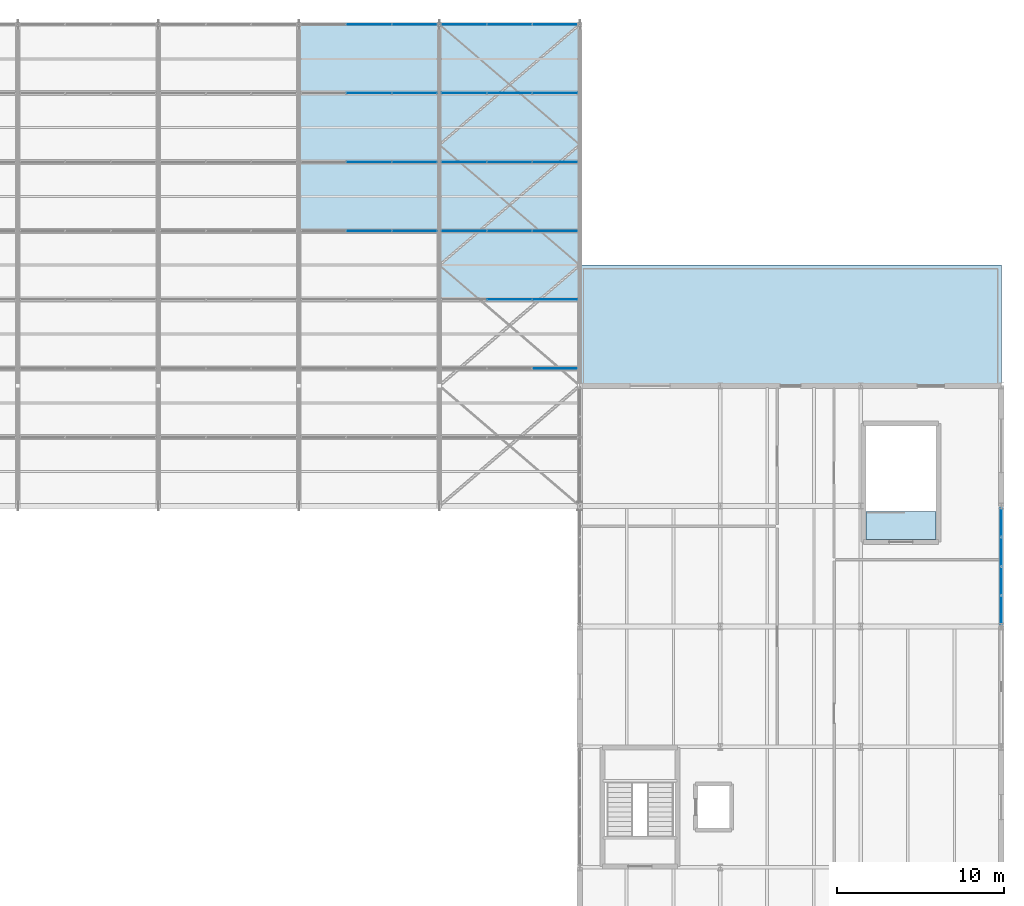
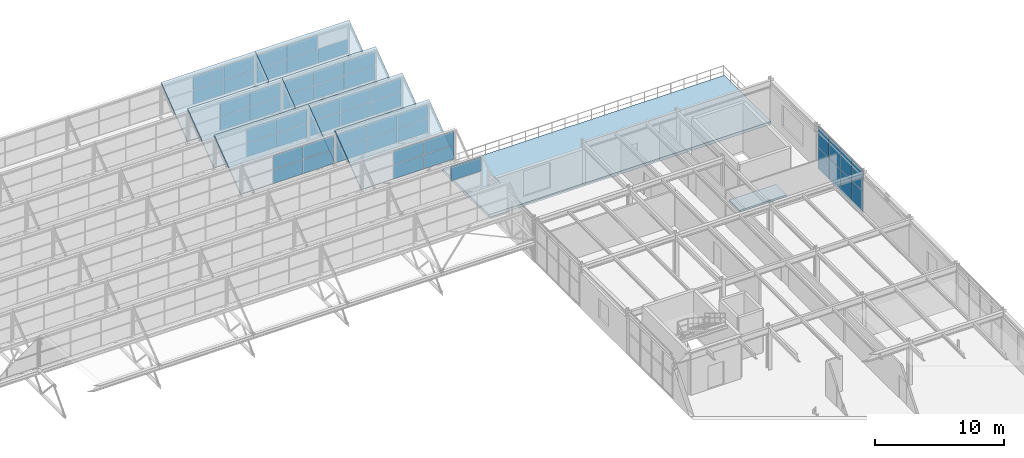
# One storey, part 111 of 134: 52 plates, 9 slabs, 11 elements without a shape of their own.
"""IFC4 building model written with IfcOpenShell, lengths in metres."""

from ifc_helpers import new_model, si_unit, derived_unit, direction, frame, origin, origin_2d, place, context, subcontext, project, spatial, polyline, rectangle, outline, extrude, material, layer, layer_set, type_object, element, aggregate, save


model = new_model("IFC4")

# Units and contexts
model_context = context("Model", 3, precision=1e-05, world=origin(), true_north=direction((0.0, 1.0)))
body_context = subcontext(model_context, "Body", "Model", "MODEL_VIEW")
ifc_project = project(units=[si_unit("LENGTHUNIT", "METRE"), si_unit("AREAUNIT", "SQUARE_METRE"), si_unit("VOLUMEUNIT", "CUBIC_METRE"), si_unit("PLANEANGLEUNIT", "RADIAN"), si_unit("MASSUNIT", "GRAM", prefix="KILO"), derived_unit("THERMALTRANSMITTANCEUNIT", [(si_unit("MASSUNIT", "GRAM", prefix="KILO"), 1), (si_unit("TIMEUNIT", "SECOND"), -3), (si_unit("THERMODYNAMICTEMPERATUREUNIT", "KELVIN"), -1)])], contexts=[model_context])

# Site, building, storey
site_placement = place(None, origin())
site = spatial("IfcSite", under=ifc_project, at=site_placement, CompositionType="ELEMENT")
building_placement = place(site_placement, origin())
building = spatial("IfcBuilding", under=site, at=building_placement, Name="Kharveza Railside Sports Centre", CompositionType="ELEMENT")
storey_placement = place(building_placement, frame((0.0, 0.0, 12.89990234375)))
storey = spatial("IfcBuildingStorey", under=building, at=storey_placement, Name="L03", CompositionType="ELEMENT", Elevation=12.89990234375)

# Curtain wall, plate
ifc_material_1 = material(Name="Low-E solar-control laminated glass", Category="glass")
curtain_wall_type_1 = type_object("IfcCurtainWallType", Name="CW-NL02", PredefinedType="NOTDEFINED", material=ifc_material_1)
curtain_wall_1_placement = place(storey_placement, origin())
curtain_wall_1 = element("IfcCurtainWall", 1, at=curtain_wall_1_placement, inside=storey, type_object=curtain_wall_type_1, Name="CW-V2NL-2-6", PredefinedType="NOTDEFINED")
ifc_layer_1 = layer(ifc_material_1, 0.033935546875, Name="Low-E solar-control laminated glass")
ifc_layer_set_1 = layer_set([ifc_layer_1], Name="Low-E solar-control laminated glass")
plate_type_1 = type_object("IfcPlateType", Name="PL-CP06", PredefinedType="CURTAIN_PANEL", material=ifc_layer_set_1)
plate_1_placement = place(storey_placement, frame((141.320068359375, 87.4287109375, 3.570068359375), z_axis=(0.0, 0.0, 1.0), x_axis=(1.0, 0.0, 0.0)))
plate_1 = element("IfcPlate", 2, at=plate_1_placement, type_object=plate_type_1, Name="CW-V2NL-2-6-PN32", PredefinedType="CURTAIN_PANEL", context=body_context, shape_type="SweptSolid", body=[
    extrude(rectangle(XDim=2.679931640625, YDim=0.033935546875, at=origin_2d()), origin(), (0.0, 0.0, 1.0), 1.31005859375),
])
aggregate(curtain_wall_1, [plate_1])

# Curtain wall, plates
curtain_wall_2_placement = place(storey_placement, origin())
curtain_wall_2 = element("IfcCurtainWall", 3, at=curtain_wall_2_placement, inside=storey, type_object=curtain_wall_type_1, Name="CW-V2NL-3-6", PredefinedType="NOTDEFINED")
plate_2_placement = place(storey_placement, frame((138.60009765625, 91.54296875, 2.219970703125), z_axis=(0.0, 0.0, 1.0), x_axis=(1.0, 0.0, 0.0)))
plate_2 = element("IfcPlate", 4, at=plate_2_placement, type_object=plate_type_1, Name="CW-V2NL-3-6-PN21", PredefinedType="CURTAIN_PANEL", context=body_context, shape_type="SweptSolid", body=[
    extrude(rectangle(XDim=2.679931640625, YDim=0.033935546875, at=origin_2d()), origin(), (0.0, 0.0, 1.0), 1.31005859375),
])
plate_3_placement = place(storey_placement, frame((138.60009765625, 91.54296875, 3.570068359375), z_axis=(0.0, 0.0, 1.0), x_axis=(1.0, 0.0, 0.0)))
plate_3 = element("IfcPlate", 5, at=plate_3_placement, type_object=plate_type_1, Name="CW-V2NL-3-6-PN22", PredefinedType="CURTAIN_PANEL", context=body_context, shape_type="SweptSolid", body=[
    extrude(rectangle(XDim=2.679931640625, YDim=0.033935546875, at=origin_2d()), origin(), (0.0, 0.0, 1.0), 1.31005859375),
])
plate_4_placement = place(storey_placement, frame((141.320068359375, 91.54296875, 2.219970703125), z_axis=(0.0, 0.0, 1.0), x_axis=(1.0, 0.0, 0.0)))
plate_4 = element("IfcPlate", 6, at=plate_4_placement, type_object=plate_type_1, Name="CW-V2NL-3-6-PN31", PredefinedType="CURTAIN_PANEL", context=body_context, shape_type="SweptSolid", body=[
    extrude(rectangle(XDim=2.679931640625, YDim=0.033935546875, at=origin_2d()), origin(), (0.0, 0.0, 1.0), 1.31005859375),
])
plate_5_placement = place(storey_placement, frame((141.320068359375, 91.54296875, 3.570068359375), z_axis=(0.0, 0.0, 1.0), x_axis=(1.0, 0.0, 0.0)))
plate_5 = element("IfcPlate", 7, at=plate_5_placement, type_object=plate_type_1, Name="CW-V2NL-3-6-PN32", PredefinedType="CURTAIN_PANEL", context=body_context, shape_type="SweptSolid", body=[
    extrude(rectangle(XDim=2.679931640625, YDim=0.033935546875, at=origin_2d()), origin(), (0.0, 0.0, 1.0), 1.31005859375),
])
aggregate(curtain_wall_2, [plate_2, plate_3, plate_4, plate_5])

curtain_wall_3_placement = place(storey_placement, origin())
curtain_wall_3 = element("IfcCurtainWall", 8, at=curtain_wall_3_placement, inside=storey, type_object=curtain_wall_type_1, Name="CW-V2NL-4-5", PredefinedType="NOTDEFINED")
plate_6_placement = place(storey_placement, frame((130.199951171875, 95.656982421875, 2.219970703125), z_axis=(0.0, 0.0, 1.0), x_axis=(1.0, 0.0, 0.0)))
plate_6 = element("IfcPlate", 9, at=plate_6_placement, type_object=plate_type_1, Name="CW-V2NL-4-5-PN21", PredefinedType="CURTAIN_PANEL", context=body_context, shape_type="SweptSolid", body=[
    extrude(rectangle(XDim=2.679931640625, YDim=0.033935546875, at=origin_2d()), origin(), (0.0, 0.0, 1.0), 1.31005859375),
])
plate_7_placement = place(storey_placement, frame((130.199951171875, 95.656982421875, 3.570068359375), z_axis=(0.0, 0.0, 1.0), x_axis=(1.0, 0.0, 0.0)))
plate_7 = element("IfcPlate", 10, at=plate_7_placement, type_object=plate_type_1, Name="CW-V2NL-4-5-PN22", PredefinedType="CURTAIN_PANEL", context=body_context, shape_type="SweptSolid", body=[
    extrude(rectangle(XDim=2.679931640625, YDim=0.033935546875, at=origin_2d()), origin(), (0.0, 0.0, 1.0), 1.31005859375),
])
plate_8_placement = place(storey_placement, frame((132.919921875, 95.656982421875, 2.219970703125), z_axis=(0.0, 0.0, 1.0), x_axis=(1.0, 0.0, 0.0)))
plate_8 = element("IfcPlate", 11, at=plate_8_placement, type_object=plate_type_1, Name="CW-V2NL-4-5-PN31", PredefinedType="CURTAIN_PANEL", context=body_context, shape_type="SweptSolid", body=[
    extrude(rectangle(XDim=2.679931640625, YDim=0.033935546875, at=origin_2d()), origin(), (0.0, 0.0, 1.0), 1.31005859375),
])
plate_9_placement = place(storey_placement, frame((132.919921875, 95.656982421875, 3.570068359375), z_axis=(0.0, 0.0, 1.0), x_axis=(1.0, 0.0, 0.0)))
plate_9 = element("IfcPlate", 12, at=plate_9_placement, type_object=plate_type_1, Name="CW-V2NL-4-5-PN32", PredefinedType="CURTAIN_PANEL", context=body_context, shape_type="SweptSolid", body=[
    extrude(rectangle(XDim=2.679931640625, YDim=0.033935546875, at=origin_2d()), origin(), (0.0, 0.0, 1.0), 1.31005859375),
])
aggregate(curtain_wall_3, [plate_6, plate_7, plate_8, plate_9])

curtain_wall_4_placement = place(storey_placement, origin())
curtain_wall_4 = element("IfcCurtainWall", 13, at=curtain_wall_4_placement, inside=storey, type_object=curtain_wall_type_1, Name="CW-V2NL-4-6", PredefinedType="NOTDEFINED")
plate_10_placement = place(storey_placement, frame((135.8798828125, 95.656982421875, 2.219970703125), z_axis=(0.0, 0.0, 1.0), x_axis=(1.0, 0.0, 0.0)))
plate_10 = element("IfcPlate", 14, at=plate_10_placement, type_object=plate_type_1, Name="CW-V2NL-4-6-PN11", PredefinedType="CURTAIN_PANEL", context=body_context, shape_type="SweptSolid", body=[
    extrude(rectangle(XDim=2.679931640625, YDim=0.033935546875, at=origin_2d()), origin(), (0.0, 0.0, 1.0), 1.31005859375),
])
plate_11_placement = place(storey_placement, frame((135.8798828125, 95.656982421875, 3.570068359375), z_axis=(0.0, 0.0, 1.0), x_axis=(1.0, 0.0, 0.0)))
plate_11 = element("IfcPlate", 15, at=plate_11_placement, type_object=plate_type_1, Name="CW-V2NL-4-6-PN12", PredefinedType="CURTAIN_PANEL", context=body_context, shape_type="SweptSolid", body=[
    extrude(rectangle(XDim=2.679931640625, YDim=0.033935546875, at=origin_2d()), origin(), (0.0, 0.0, 1.0), 1.31005859375),
])
plate_12_placement = place(storey_placement, frame((138.60009765625, 95.656982421875, 2.219970703125), z_axis=(0.0, 0.0, 1.0), x_axis=(1.0, 0.0, 0.0)))
plate_12 = element("IfcPlate", 16, at=plate_12_placement, type_object=plate_type_1, Name="CW-V2NL-4-6-PN21", PredefinedType="CURTAIN_PANEL", context=body_context, shape_type="SweptSolid", body=[
    extrude(rectangle(XDim=2.679931640625, YDim=0.033935546875, at=origin_2d()), origin(), (0.0, 0.0, 1.0), 1.31005859375),
])
plate_13_placement = place(storey_placement, frame((138.60009765625, 95.656982421875, 3.570068359375), z_axis=(0.0, 0.0, 1.0), x_axis=(1.0, 0.0, 0.0)))
plate_13 = element("IfcPlate", 17, at=plate_13_placement, type_object=plate_type_1, Name="CW-V2NL-4-6-PN22", PredefinedType="CURTAIN_PANEL", context=body_context, shape_type="SweptSolid", body=[
    extrude(rectangle(XDim=2.679931640625, YDim=0.033935546875, at=origin_2d()), origin(), (0.0, 0.0, 1.0), 1.31005859375),
])
plate_14_placement = place(storey_placement, frame((141.320068359375, 95.656982421875, 2.219970703125), z_axis=(0.0, 0.0, 1.0), x_axis=(1.0, 0.0, 0.0)))
plate_14 = element("IfcPlate", 18, at=plate_14_placement, type_object=plate_type_1, Name="CW-V2NL-4-6-PN31", PredefinedType="CURTAIN_PANEL", context=body_context, shape_type="SweptSolid", body=[
    extrude(rectangle(XDim=2.679931640625, YDim=0.033935546875, at=origin_2d()), origin(), (0.0, 0.0, 1.0), 1.31005859375),
])
plate_15_placement = place(storey_placement, frame((141.320068359375, 95.656982421875, 3.570068359375), z_axis=(0.0, 0.0, 1.0), x_axis=(1.0, 0.0, 0.0)))
plate_15 = element("IfcPlate", 19, at=plate_15_placement, type_object=plate_type_1, Name="CW-V2NL-4-6-PN32", PredefinedType="CURTAIN_PANEL", context=body_context, shape_type="SweptSolid", body=[
    extrude(rectangle(XDim=2.679931640625, YDim=0.033935546875, at=origin_2d()), origin(), (0.0, 0.0, 1.0), 1.31005859375),
])
aggregate(curtain_wall_4, [plate_10, plate_11, plate_12, plate_13, plate_14, plate_15])

curtain_wall_5_placement = place(storey_placement, origin())
curtain_wall_5 = element("IfcCurtainWall", 20, at=curtain_wall_5_placement, inside=storey, type_object=curtain_wall_type_1, Name="CW-V2NL-5-5", PredefinedType="NOTDEFINED")
plate_16_placement = place(storey_placement, frame((130.199951171875, 99.771484375, 2.219970703125), z_axis=(0.0, 0.0, 1.0), x_axis=(1.0, 0.0, 0.0)))
plate_16 = element("IfcPlate", 21, at=plate_16_placement, type_object=plate_type_1, Name="CW-V2NL-5-5-PN21", PredefinedType="CURTAIN_PANEL", context=body_context, shape_type="SweptSolid", body=[
    extrude(rectangle(XDim=2.679931640625, YDim=0.033935546875, at=origin_2d()), origin(), (0.0, 0.0, 1.0), 1.31005859375),
])
plate_17_placement = place(storey_placement, frame((130.199951171875, 99.771484375, 3.570068359375), z_axis=(0.0, 0.0, 1.0), x_axis=(1.0, 0.0, 0.0)))
plate_17 = element("IfcPlate", 22, at=plate_17_placement, type_object=plate_type_1, Name="CW-V2NL-5-5-PN22", PredefinedType="CURTAIN_PANEL", context=body_context, shape_type="SweptSolid", body=[
    extrude(rectangle(XDim=2.679931640625, YDim=0.033935546875, at=origin_2d()), origin(), (0.0, 0.0, 1.0), 1.31005859375),
])
plate_18_placement = place(storey_placement, frame((132.919921875, 99.771484375, 2.219970703125), z_axis=(0.0, 0.0, 1.0), x_axis=(1.0, 0.0, 0.0)))
plate_18 = element("IfcPlate", 23, at=plate_18_placement, type_object=plate_type_1, Name="CW-V2NL-5-5-PN31", PredefinedType="CURTAIN_PANEL", context=body_context, shape_type="SweptSolid", body=[
    extrude(rectangle(XDim=2.679931640625, YDim=0.033935546875, at=origin_2d()), origin(), (0.0, 0.0, 1.0), 1.31005859375),
])
plate_19_placement = place(storey_placement, frame((132.919921875, 99.771484375, 3.570068359375), z_axis=(0.0, 0.0, 1.0), x_axis=(1.0, 0.0, 0.0)))
plate_19 = element("IfcPlate", 24, at=plate_19_placement, type_object=plate_type_1, Name="CW-V2NL-5-5-PN32", PredefinedType="CURTAIN_PANEL", context=body_context, shape_type="SweptSolid", body=[
    extrude(rectangle(XDim=2.679931640625, YDim=0.033935546875, at=origin_2d()), origin(), (0.0, 0.0, 1.0), 1.31005859375),
])
aggregate(curtain_wall_5, [plate_16, plate_17, plate_18, plate_19])

curtain_wall_6_placement = place(storey_placement, origin())
curtain_wall_6 = element("IfcCurtainWall", 25, at=curtain_wall_6_placement, inside=storey, type_object=curtain_wall_type_1, Name="CW-V2NL-5-6", PredefinedType="NOTDEFINED")
plate_20_placement = place(storey_placement, frame((135.8798828125, 99.771484375, 2.219970703125), z_axis=(0.0, 0.0, 1.0), x_axis=(1.0, 0.0, 0.0)))
plate_20 = element("IfcPlate", 26, at=plate_20_placement, type_object=plate_type_1, Name="CW-V2NL-5-6-PN11", PredefinedType="CURTAIN_PANEL", context=body_context, shape_type="SweptSolid", body=[
    extrude(rectangle(XDim=2.679931640625, YDim=0.033935546875, at=origin_2d()), origin(), (0.0, 0.0, 1.0), 1.31005859375),
])
plate_21_placement = place(storey_placement, frame((135.8798828125, 99.771484375, 3.570068359375), z_axis=(0.0, 0.0, 1.0), x_axis=(1.0, 0.0, 0.0)))
plate_21 = element("IfcPlate", 27, at=plate_21_placement, type_object=plate_type_1, Name="CW-V2NL-5-6-PN12", PredefinedType="CURTAIN_PANEL", context=body_context, shape_type="SweptSolid", body=[
    extrude(rectangle(XDim=2.679931640625, YDim=0.033935546875, at=origin_2d()), origin(), (0.0, 0.0, 1.0), 1.31005859375),
])
plate_22_placement = place(storey_placement, frame((138.60009765625, 99.771484375, 2.219970703125), z_axis=(0.0, 0.0, 1.0), x_axis=(1.0, 0.0, 0.0)))
plate_22 = element("IfcPlate", 28, at=plate_22_placement, type_object=plate_type_1, Name="CW-V2NL-5-6-PN21", PredefinedType="CURTAIN_PANEL", context=body_context, shape_type="SweptSolid", body=[
    extrude(rectangle(XDim=2.679931640625, YDim=0.033935546875, at=origin_2d()), origin(), (0.0, 0.0, 1.0), 1.31005859375),
])
plate_23_placement = place(storey_placement, frame((138.60009765625, 99.771484375, 3.570068359375), z_axis=(0.0, 0.0, 1.0), x_axis=(1.0, 0.0, 0.0)))
plate_23 = element("IfcPlate", 29, at=plate_23_placement, type_object=plate_type_1, Name="CW-V2NL-5-6-PN22", PredefinedType="CURTAIN_PANEL", context=body_context, shape_type="SweptSolid", body=[
    extrude(rectangle(XDim=2.679931640625, YDim=0.033935546875, at=origin_2d()), origin(), (0.0, 0.0, 1.0), 1.31005859375),
])
plate_24_placement = place(storey_placement, frame((141.320068359375, 99.771484375, 2.219970703125), z_axis=(0.0, 0.0, 1.0), x_axis=(1.0, 0.0, 0.0)))
plate_24 = element("IfcPlate", 30, at=plate_24_placement, type_object=plate_type_1, Name="CW-V2NL-5-6-PN31", PredefinedType="CURTAIN_PANEL", context=body_context, shape_type="SweptSolid", body=[
    extrude(rectangle(XDim=2.679931640625, YDim=0.033935546875, at=origin_2d()), origin(), (0.0, 0.0, 1.0), 1.31005859375),
])
plate_25_placement = place(storey_placement, frame((141.320068359375, 99.771484375, 3.570068359375), z_axis=(0.0, 0.0, 1.0), x_axis=(1.0, 0.0, 0.0)))
plate_25 = element("IfcPlate", 31, at=plate_25_placement, type_object=plate_type_1, Name="CW-V2NL-5-6-PN32", PredefinedType="CURTAIN_PANEL", context=body_context, shape_type="SweptSolid", body=[
    extrude(rectangle(XDim=2.679931640625, YDim=0.033935546875, at=origin_2d()), origin(), (0.0, 0.0, 1.0), 1.31005859375),
])
aggregate(curtain_wall_6, [plate_20, plate_21, plate_22, plate_23, plate_24, plate_25])

curtain_wall_7_placement = place(storey_placement, origin())
curtain_wall_7 = element("IfcCurtainWall", 32, at=curtain_wall_7_placement, inside=storey, type_object=curtain_wall_type_1, Name="CW-V2NL-6-5", PredefinedType="NOTDEFINED")
plate_26_placement = place(storey_placement, frame((130.199951171875, 103.8857421875, 2.219970703125), z_axis=(0.0, 0.0, 1.0), x_axis=(1.0, 0.0, 0.0)))
plate_26 = element("IfcPlate", 33, at=plate_26_placement, type_object=plate_type_1, Name="CW-V2NL-6-5-PN21", PredefinedType="CURTAIN_PANEL", context=body_context, shape_type="SweptSolid", body=[
    extrude(rectangle(XDim=2.679931640625, YDim=0.033935546875, at=origin_2d()), origin(), (0.0, 0.0, 1.0), 1.31005859375),
])
plate_27_placement = place(storey_placement, frame((130.199951171875, 103.8857421875, 3.570068359375), z_axis=(0.0, 0.0, 1.0), x_axis=(1.0, 0.0, 0.0)))
plate_27 = element("IfcPlate", 34, at=plate_27_placement, type_object=plate_type_1, Name="CW-V2NL-6-5-PN22", PredefinedType="CURTAIN_PANEL", context=body_context, shape_type="SweptSolid", body=[
    extrude(rectangle(XDim=2.679931640625, YDim=0.033935546875, at=origin_2d()), origin(), (0.0, 0.0, 1.0), 1.31005859375),
])
plate_28_placement = place(storey_placement, frame((132.919921875, 103.8857421875, 2.219970703125), z_axis=(0.0, 0.0, 1.0), x_axis=(1.0, 0.0, 0.0)))
plate_28 = element("IfcPlate", 35, at=plate_28_placement, type_object=plate_type_1, Name="CW-V2NL-6-5-PN31", PredefinedType="CURTAIN_PANEL", context=body_context, shape_type="SweptSolid", body=[
    extrude(rectangle(XDim=2.679931640625, YDim=0.033935546875, at=origin_2d()), origin(), (0.0, 0.0, 1.0), 1.31005859375),
])
plate_29_placement = place(storey_placement, frame((132.919921875, 103.8857421875, 3.570068359375), z_axis=(0.0, 0.0, 1.0), x_axis=(1.0, 0.0, 0.0)))
plate_29 = element("IfcPlate", 36, at=plate_29_placement, type_object=plate_type_1, Name="CW-V2NL-6-5-PN32", PredefinedType="CURTAIN_PANEL", context=body_context, shape_type="SweptSolid", body=[
    extrude(rectangle(XDim=2.679931640625, YDim=0.033935546875, at=origin_2d()), origin(), (0.0, 0.0, 1.0), 1.31005859375),
])
aggregate(curtain_wall_7, [plate_26, plate_27, plate_28, plate_29])

curtain_wall_8_placement = place(storey_placement, origin())
curtain_wall_8 = element("IfcCurtainWall", 37, at=curtain_wall_8_placement, inside=storey, type_object=curtain_wall_type_1, Name="CW-V2NL-6-6", PredefinedType="NOTDEFINED")
plate_30_placement = place(storey_placement, frame((135.8798828125, 103.8857421875, 2.219970703125), z_axis=(0.0, 0.0, 1.0), x_axis=(1.0, 0.0, 0.0)))
plate_30 = element("IfcPlate", 38, at=plate_30_placement, type_object=plate_type_1, Name="CW-V2NL-6-6-PN11", PredefinedType="CURTAIN_PANEL", context=body_context, shape_type="SweptSolid", body=[
    extrude(rectangle(XDim=2.679931640625, YDim=0.033935546875, at=origin_2d()), origin(), (0.0, 0.0, 1.0), 1.31005859375),
])
plate_31_placement = place(storey_placement, frame((135.8798828125, 103.8857421875, 3.570068359375), z_axis=(0.0, 0.0, 1.0), x_axis=(1.0, 0.0, 0.0)))
plate_31 = element("IfcPlate", 39, at=plate_31_placement, type_object=plate_type_1, Name="CW-V2NL-6-6-PN12", PredefinedType="CURTAIN_PANEL", context=body_context, shape_type="SweptSolid", body=[
    extrude(rectangle(XDim=2.679931640625, YDim=0.033935546875, at=origin_2d()), origin(), (0.0, 0.0, 1.0), 1.31005859375),
])
plate_32_placement = place(storey_placement, frame((138.60009765625, 103.8857421875, 2.219970703125), z_axis=(0.0, 0.0, 1.0), x_axis=(1.0, 0.0, 0.0)))
plate_32 = element("IfcPlate", 40, at=plate_32_placement, type_object=plate_type_1, Name="CW-V2NL-6-6-PN21", PredefinedType="CURTAIN_PANEL", context=body_context, shape_type="SweptSolid", body=[
    extrude(rectangle(XDim=2.679931640625, YDim=0.033935546875, at=origin_2d()), origin(), (0.0, 0.0, 1.0), 1.31005859375),
])
plate_33_placement = place(storey_placement, frame((138.60009765625, 103.8857421875, 3.570068359375), z_axis=(0.0, 0.0, 1.0), x_axis=(1.0, 0.0, 0.0)))
plate_33 = element("IfcPlate", 41, at=plate_33_placement, type_object=plate_type_1, Name="CW-V2NL-6-6-PN22", PredefinedType="CURTAIN_PANEL", context=body_context, shape_type="SweptSolid", body=[
    extrude(rectangle(XDim=2.679931640625, YDim=0.033935546875, at=origin_2d()), origin(), (0.0, 0.0, 1.0), 1.31005859375),
])
plate_34_placement = place(storey_placement, frame((141.320068359375, 103.8857421875, 2.219970703125), z_axis=(0.0, 0.0, 1.0), x_axis=(1.0, 0.0, 0.0)))
plate_34 = element("IfcPlate", 42, at=plate_34_placement, type_object=plate_type_1, Name="CW-V2NL-6-6-PN31", PredefinedType="CURTAIN_PANEL", context=body_context, shape_type="SweptSolid", body=[
    extrude(rectangle(XDim=2.679931640625, YDim=0.033935546875, at=origin_2d()), origin(), (0.0, 0.0, 1.0), 1.31005859375),
])
plate_35_placement = place(storey_placement, frame((141.320068359375, 103.8857421875, 3.570068359375), z_axis=(0.0, 0.0, 1.0), x_axis=(1.0, 0.0, 0.0)))
plate_35 = element("IfcPlate", 43, at=plate_35_placement, type_object=plate_type_1, Name="CW-V2NL-6-6-PN32", PredefinedType="CURTAIN_PANEL", context=body_context, shape_type="SweptSolid", body=[
    extrude(rectangle(XDim=2.679931640625, YDim=0.033935546875, at=origin_2d()), origin(), (0.0, 0.0, 1.0), 1.31005859375),
])
aggregate(curtain_wall_8, [plate_30, plate_31, plate_32, plate_33, plate_34, plate_35])

curtain_wall_9_placement = place(storey_placement, origin())
curtain_wall_9 = element("IfcCurtainWall", 44, at=curtain_wall_9_placement, inside=storey, type_object=curtain_wall_type_1, Name="CW-V2NL-7-5", PredefinedType="NOTDEFINED")
plate_36_placement = place(storey_placement, frame((130.199951171875, 108.0, 2.219970703125), z_axis=(0.0, 0.0, 1.0), x_axis=(1.0, 0.0, 0.0)))
plate_36 = element("IfcPlate", 45, at=plate_36_placement, type_object=plate_type_1, Name="CW-V2NL-7-5-PN21", PredefinedType="CURTAIN_PANEL", context=body_context, shape_type="SweptSolid", body=[
    extrude(rectangle(XDim=2.679931640625, YDim=0.033935546875, at=origin_2d()), origin(), (0.0, 0.0, 1.0), 1.31005859375),
])
plate_37_placement = place(storey_placement, frame((130.199951171875, 108.0, 3.570068359375), z_axis=(0.0, 0.0, 1.0), x_axis=(1.0, 0.0, 0.0)))
plate_37 = element("IfcPlate", 46, at=plate_37_placement, type_object=plate_type_1, Name="CW-V2NL-7-5-PN22", PredefinedType="CURTAIN_PANEL", context=body_context, shape_type="SweptSolid", body=[
    extrude(rectangle(XDim=2.679931640625, YDim=0.033935546875, at=origin_2d()), origin(), (0.0, 0.0, 1.0), 1.31005859375),
])
plate_38_placement = place(storey_placement, frame((132.919921875, 108.0, 2.219970703125), z_axis=(0.0, 0.0, 1.0), x_axis=(1.0, 0.0, 0.0)))
plate_38 = element("IfcPlate", 47, at=plate_38_placement, type_object=plate_type_1, Name="CW-V2NL-7-5-PN31", PredefinedType="CURTAIN_PANEL", context=body_context, shape_type="SweptSolid", body=[
    extrude(rectangle(XDim=2.679931640625, YDim=0.033935546875, at=origin_2d()), origin(), (0.0, 0.0, 1.0), 1.31005859375),
])
plate_39_placement = place(storey_placement, frame((132.919921875, 108.0, 3.570068359375), z_axis=(0.0, 0.0, 1.0), x_axis=(1.0, 0.0, 0.0)))
plate_39 = element("IfcPlate", 48, at=plate_39_placement, type_object=plate_type_1, Name="CW-V2NL-7-5-PN32", PredefinedType="CURTAIN_PANEL", context=body_context, shape_type="SweptSolid", body=[
    extrude(rectangle(XDim=2.679931640625, YDim=0.033935546875, at=origin_2d()), origin(), (0.0, 0.0, 1.0), 1.31005859375),
])
aggregate(curtain_wall_9, [plate_36, plate_37, plate_38, plate_39])

curtain_wall_10_placement = place(storey_placement, origin())
curtain_wall_10 = element("IfcCurtainWall", 49, at=curtain_wall_10_placement, inside=storey, type_object=curtain_wall_type_1, Name="CW-V2NL-7-6", PredefinedType="NOTDEFINED")
plate_40_placement = place(storey_placement, frame((135.8798828125, 108.0, 2.219970703125), z_axis=(0.0, 0.0, 1.0), x_axis=(1.0, 0.0, 0.0)))
plate_40 = element("IfcPlate", 50, at=plate_40_placement, type_object=plate_type_1, Name="CW-V2NL-7-6-PN11", PredefinedType="CURTAIN_PANEL", context=body_context, shape_type="SweptSolid", body=[
    extrude(rectangle(XDim=2.679931640625, YDim=0.033935546875, at=origin_2d()), origin(), (0.0, 0.0, 1.0), 1.31005859375),
])
plate_41_placement = place(storey_placement, frame((135.8798828125, 108.0, 3.570068359375), z_axis=(0.0, 0.0, 1.0), x_axis=(1.0, 0.0, 0.0)))
plate_41 = element("IfcPlate", 51, at=plate_41_placement, type_object=plate_type_1, Name="CW-V2NL-7-6-PN12", PredefinedType="CURTAIN_PANEL", context=body_context, shape_type="SweptSolid", body=[
    extrude(rectangle(XDim=2.679931640625, YDim=0.033935546875, at=origin_2d()), origin(), (0.0, 0.0, 1.0), 1.31005859375),
])
plate_42_placement = place(storey_placement, frame((138.60009765625, 108.0, 2.219970703125), z_axis=(0.0, 0.0, 1.0), x_axis=(1.0, 0.0, 0.0)))
plate_42 = element("IfcPlate", 52, at=plate_42_placement, type_object=plate_type_1, Name="CW-V2NL-7-6-PN21", PredefinedType="CURTAIN_PANEL", context=body_context, shape_type="SweptSolid", body=[
    extrude(rectangle(XDim=2.679931640625, YDim=0.033935546875, at=origin_2d()), origin(), (0.0, 0.0, 1.0), 1.31005859375),
])
plate_43_placement = place(storey_placement, frame((138.60009765625, 108.0, 3.570068359375), z_axis=(0.0, 0.0, 1.0), x_axis=(1.0, 0.0, 0.0)))
plate_43 = element("IfcPlate", 53, at=plate_43_placement, type_object=plate_type_1, Name="CW-V2NL-7-6-PN22", PredefinedType="CURTAIN_PANEL", context=body_context, shape_type="SweptSolid", body=[
    extrude(rectangle(XDim=2.679931640625, YDim=0.033935546875, at=origin_2d()), origin(), (0.0, 0.0, 1.0), 1.31005859375),
])
plate_44_placement = place(storey_placement, frame((141.320068359375, 108.0, 2.219970703125), z_axis=(0.0, 0.0, 1.0), x_axis=(1.0, 0.0, 0.0)))
plate_44 = element("IfcPlate", 54, at=plate_44_placement, type_object=plate_type_1, Name="CW-V2NL-7-6-PN31", PredefinedType="CURTAIN_PANEL", context=body_context, shape_type="SweptSolid", body=[
    extrude(rectangle(XDim=2.679931640625, YDim=0.033935546875, at=origin_2d()), origin(), (0.0, 0.0, 1.0), 1.31005859375),
])
aggregate(curtain_wall_10, [plate_40, plate_41, plate_42, plate_43, plate_44])

curtain_wall_type_2 = type_object("IfcCurtainWallType", Name="CW-WG02", PredefinedType="NOTDEFINED", material=ifc_material_1)
curtain_wall_11_placement = place(storey_placement, origin())
curtain_wall_11 = element("IfcCurtainWall", 55, at=curtain_wall_11_placement, inside=storey, type_object=curtain_wall_type_2, Name="CW-WG-L03-CW-WG02-X1680-Y756", PredefinedType="NOTDEFINED")
ifc_layer_2 = layer(ifc_material_1, 0.035888671875, Name="Low-E solar-control laminated glass")
ifc_layer_set_2 = layer_set([ifc_layer_2], Name="Low-E solar-control laminated glass")
plate_type_2 = type_object("IfcPlateType", Name="PL-CP10", PredefinedType="CURTAIN_PANEL", material=ifc_layer_set_2)
plate_45_placement = place(storey_placement, frame((168.0, 72.989990234375, 2.03759765625), z_axis=(0.0, 0.0, 1.0), x_axis=(0.0, 1.0, 0.0)))
plate_45 = element("IfcPlate", 56, at=plate_45_placement, type_object=plate_type_2, Name="CW-WG-L03-CW-WG02-X1680-Y756-PN12", PredefinedType="CURTAIN_PANEL", context=body_context, shape_type="SweptSolid", body=[
    extrude(rectangle(XDim=1.699951171875, YDim=0.035888671875, at=origin_2d()), origin(), (0.0, 0.0, 1.0), 1.9775390625),
])
plate_46_placement = place(storey_placement, frame((168.0, 74.72998046875, 2.03759765625), z_axis=(0.0, 0.0, 1.0), x_axis=(0.0, 1.0, 0.0)))
plate_46 = element("IfcPlate", 57, at=plate_46_placement, type_object=plate_type_2, Name="CW-WG-L03-CW-WG02-X1680-Y756-PN22", PredefinedType="CURTAIN_PANEL", context=body_context, shape_type="SweptSolid", body=[
    extrude(rectangle(XDim=1.699951171875, YDim=0.035888671875, at=origin_2d()), origin(), (0.0, 0.0, 1.0), 1.9775390625),
])
plate_47_placement = place(storey_placement, frame((168.0, 76.469970703125, 2.03759765625), z_axis=(0.0, 0.0, 1.0), x_axis=(0.0, 1.0, 0.0)))
plate_47 = element("IfcPlate", 58, at=plate_47_placement, type_object=plate_type_2, Name="CW-WG-L03-CW-WG02-X1680-Y756-PN32", PredefinedType="CURTAIN_PANEL", context=body_context, shape_type="SweptSolid", body=[
    extrude(rectangle(XDim=1.699951171875, YDim=0.035888671875, at=origin_2d()), origin(), (0.0, 0.0, 1.0), 1.9775390625),
])
plate_48_placement = place(storey_placement, frame((168.0, 78.2099609375, 2.03759765625), z_axis=(0.0, 0.0, 1.0), x_axis=(0.0, 1.0, 0.0)))
plate_48 = element("IfcPlate", 59, at=plate_48_placement, type_object=plate_type_2, Name="CW-WG-L03-CW-WG02-X1680-Y756-PN42", PredefinedType="CURTAIN_PANEL", context=body_context, shape_type="SweptSolid", body=[
    extrude(rectangle(XDim=1.699951171875, YDim=0.035888671875, at=origin_2d()), origin(), (0.0, 0.0, 1.0), 1.9775390625),
])
ifc_material_2 = material(Name="Anodised aluminium 6063-T6", Category="aluminium")
ifc_layer_3 = layer(ifc_material_2, 0.044921875, Name="Anodised aluminium 6063-T6")
ifc_layer_set_3 = layer_set([ifc_layer_3], Name="Anodised aluminium 6063-T6")
plate_type_3 = type_object("IfcPlateType", Name="PL-CP11", PredefinedType="CURTAIN_PANEL", material=ifc_layer_set_3)
plate_49_placement = place(storey_placement, frame((168.0, 72.989990234375, 0.02001953125), z_axis=(0.0, 0.0, 1.0), x_axis=(0.0, 1.0, 0.0)))
plate_49 = element("IfcPlate", 60, at=plate_49_placement, type_object=plate_type_3, Name="CW-WG-L03-CW-WG02-X1680-Y756-PN11", PredefinedType="CURTAIN_PANEL", context=body_context, shape_type="SweptSolid", body=[
    extrude(rectangle(XDim=1.699951171875, YDim=0.044921875, at=origin_2d()), origin(), (0.0, 0.0, 1.0), 1.9775390625),
])
plate_50_placement = place(storey_placement, frame((168.0, 74.72998046875, 0.02001953125), z_axis=(0.0, 0.0, 1.0), x_axis=(0.0, 1.0, 0.0)))
plate_50 = element("IfcPlate", 61, at=plate_50_placement, type_object=plate_type_3, Name="CW-WG-L03-CW-WG02-X1680-Y756-PN21", PredefinedType="CURTAIN_PANEL", context=body_context, shape_type="SweptSolid", body=[
    extrude(rectangle(XDim=1.699951171875, YDim=0.044921875, at=origin_2d()), origin(), (0.0, 0.0, 1.0), 1.9775390625),
])
plate_51_placement = place(storey_placement, frame((168.0, 76.469970703125, 0.02001953125), z_axis=(0.0, 0.0, 1.0), x_axis=(0.0, 1.0, 0.0)))
plate_51 = element("IfcPlate", 62, at=plate_51_placement, type_object=plate_type_3, Name="CW-WG-L03-CW-WG02-X1680-Y756-PN31", PredefinedType="CURTAIN_PANEL", context=body_context, shape_type="SweptSolid", body=[
    extrude(rectangle(XDim=1.699951171875, YDim=0.044921875, at=origin_2d()), origin(), (0.0, 0.0, 1.0), 1.9775390625),
])
plate_52_placement = place(storey_placement, frame((168.0, 78.2099609375, 0.02001953125), z_axis=(0.0, 0.0, 1.0), x_axis=(0.0, 1.0, 0.0)))
plate_52 = element("IfcPlate", 63, at=plate_52_placement, type_object=plate_type_3, Name="CW-WG-L03-CW-WG02-X1680-Y756-PN41", PredefinedType="CURTAIN_PANEL", context=body_context, shape_type="SweptSolid", body=[
    extrude(rectangle(XDim=1.699951171875, YDim=0.044921875, at=origin_2d()), origin(), (0.0, 0.0, 1.0), 1.9775390625),
])
aggregate(curtain_wall_11, [plate_49, plate_45, plate_50, plate_46, plate_51, plate_47, plate_52, plate_48])

# Slabs
ifc_material_3 = material(Name="Concrete C35/45", Category="concrete")
ifc_layer_4 = layer(ifc_material_3, 0.18505859375, Name="Concrete C35/45")
ifc_layer_set_4 = layer_set([ifc_layer_4], Name="Concrete C35/45")
slab_type_1 = type_object("IfcSlabType", Name="SL-LD185", PredefinedType="LANDING", material=ifc_layer_set_4)
slab_1_placement = place(storey_placement, frame((0.0, 0.0, -0.184814453125)))
element("IfcSlab", 64, at=slab_1_placement, inside=storey, type_object=slab_type_1, Name="SLB-STLND-FLR-ST4-L03", PredefinedType="LANDING", context=body_context, shape_type="SweptSolid", body=[
    extrude(outline(polyline([(159.905029296875, 77.205078125), (164.094970703125, 77.205078125), (164.094970703125, 78.860107421875), (159.905029296875, 78.860107421875), (159.905029296875, 77.205078125)])), origin(), (0.0, 0.0, 1.0), 0.184814453125),
])
ifc_material_4 = material(Name="Insulated standing-seam zinc-aluminium roof panel", Category="aluminium")
ifc_layer_5 = layer(ifc_material_4, 0.155029296875, Name="Insulated standing-seam zinc-aluminium roof panel")
ifc_layer_set_5 = layer_set([ifc_layer_5], Name="Insulated standing-seam zinc-aluminium roof panel")
slab_type_2 = type_object("IfcSlabType", Name="SL-RF155", PredefinedType="ROOF", material=ifc_layer_set_5)
slab_2_placement = place(storey_placement, frame((134.39990234375, 91.54296875, 2.2001953125), z_axis=(0.0, -0.601780581912, 0.798661462219), x_axis=(1.0, 0.0, 0.0)))
element("IfcSlab", 65, at=slab_2_placement, inside=storey, type_object=slab_type_2, Name="Training Hall Sawtooth Roof Bay 4-6", PredefinedType="ROOF", context=body_context, shape_type="SweptSolid", body=[
    extrude(outline(polyline([(0.0, 0.0), (8.400146484375, 0.0), (8.400146484375, 5.151135827243065), (0.0, 5.151135827243065), (0.0, 0.0)])), origin(), (0.0, 0.0, -1.0), 0.155029296875),
])
slab_3_placement = place(storey_placement, frame((126.0, 95.656982421875, 2.2001953125), z_axis=(0.0, -0.601735026036, 0.798695785917), x_axis=(1.0, 0.0, 0.0)))
element("IfcSlab", 66, at=slab_3_placement, inside=storey, type_object=slab_type_2, Name="Training Hall Sawtooth Roof Bay 5-5", PredefinedType="ROOF", context=body_context, shape_type="SweptSolid", body=[
    extrude(outline(polyline([(0.0, 0.0), (8.39990234375, 0.0), (8.39990234375, 5.15152580704029), (0.0, 5.15152580704029), (0.0, 0.0)])), origin(), (0.0, 0.0, -1.0), 0.155029296875),
])
slab_4_placement = place(storey_placement, frame((134.39990234375, 95.656982421875, 2.2001953125), z_axis=(0.0, -0.601735026036, 0.798695785917), x_axis=(1.0, 0.0, 0.0)))
element("IfcSlab", 67, at=slab_4_placement, inside=storey, type_object=slab_type_2, Name="Training Hall Sawtooth Roof Bay 5-6", PredefinedType="ROOF", context=body_context, shape_type="SweptSolid", body=[
    extrude(outline(polyline([(0.0, 0.0), (8.400146484375, 0.0), (8.400146484375, 5.15152580704029), (0.0, 5.15152580704029), (0.0, 0.0)])), origin(), (0.0, 0.0, -1.0), 0.155029296875),
])
slab_5_placement = place(storey_placement, frame((126.0, 99.771484375, 2.2001953125), z_axis=(0.0, -0.601757803356, 0.798678625042), x_axis=(1.0, 0.0, 0.0)))
element("IfcSlab", 68, at=slab_5_placement, inside=storey, type_object=slab_type_2, Name="Training Hall Sawtooth Roof Bay 6-5", PredefinedType="ROOF", context=body_context, shape_type="SweptSolid", body=[
    extrude(outline(polyline([(0.0, 0.0), (8.39990234375, 0.0), (8.39990234375, 5.151330815046725), (0.0, 5.151330815046725), (0.0, 0.0)])), origin(), (0.0, 0.0, -1.0), 0.155029296875),
])
slab_6_placement = place(storey_placement, frame((134.39990234375, 99.771484375, 2.2001953125), z_axis=(0.0, -0.601757803356, 0.798678625042), x_axis=(1.0, 0.0, 0.0)))
element("IfcSlab", 69, at=slab_6_placement, inside=storey, type_object=slab_type_2, Name="Training Hall Sawtooth Roof Bay 6-6", PredefinedType="ROOF", context=body_context, shape_type="SweptSolid", body=[
    extrude(outline(polyline([(0.0, 0.0), (8.400146484375, 0.0), (8.400146484375, 5.151330815046725), (0.0, 5.151330815046725), (0.0, 0.0)])), origin(), (0.0, 0.0, -1.0), 0.155029296875),
])
slab_7_placement = place(storey_placement, frame((126.0, 103.8857421875, 2.2001953125), z_axis=(0.0, -0.601757803356, 0.798678625042), x_axis=(1.0, 0.0, 0.0)))
element("IfcSlab", 70, at=slab_7_placement, inside=storey, type_object=slab_type_2, Name="Training Hall Sawtooth Roof Bay 7-5", PredefinedType="ROOF", context=body_context, shape_type="SweptSolid", body=[
    extrude(outline(polyline([(0.0, 0.0), (8.39990234375, 0.0), (8.39990234375, 5.151330815046725), (0.0, 5.151330815046725), (0.0, 0.0)])), origin(), (0.0, 0.0, -1.0), 0.155029296875),
])
slab_8_placement = place(storey_placement, frame((134.39990234375, 103.8857421875, 2.2001953125), z_axis=(0.0, -0.601757803356, 0.798678625042), x_axis=(1.0, 0.0, 0.0)))
element("IfcSlab", 71, at=slab_8_placement, inside=storey, type_object=slab_type_2, Name="Training Hall Sawtooth Roof Bay 7-6", PredefinedType="ROOF", context=body_context, shape_type="SweptSolid", body=[
    extrude(outline(polyline([(0.0, 0.0), (8.400146484375, 0.0), (8.400146484375, 5.151330815046725), (0.0, 5.151330815046725), (0.0, 0.0)])), origin(), (0.0, 0.0, -1.0), 0.155029296875),
])
ifc_layer_6 = layer(ifc_material_3, 0.280029296875, Name="Concrete C35/45")
ifc_layer_set_6 = layer_set([ifc_layer_6], Name="Concrete C35/45")
slab_type_3 = type_object("IfcSlabType", Name="SL-TR280", PredefinedType="FLOOR", material=ifc_layer_set_6)
slab_9_placement = place(storey_placement, frame((0.0, 0.0, -0.27978515625)))
element("IfcSlab", 72, at=slab_9_placement, inside=storey, type_object=slab_type_3, Name="Outdoor Terrace TERR-L03-N", PredefinedType="FLOOR", context=body_context, shape_type="SweptSolid", body=[
    extrude(outline(polyline([(142.801025390625, 93.59912109375), (167.9990234375, 93.59912109375), (167.9990234375, 86.40087890625), (142.801025390625, 86.40087890625), (142.801025390625, 93.59912109375)])), origin(), (0.0, 0.0, 1.0), 0.27978515625),
])

save(model, "model.ifc")
